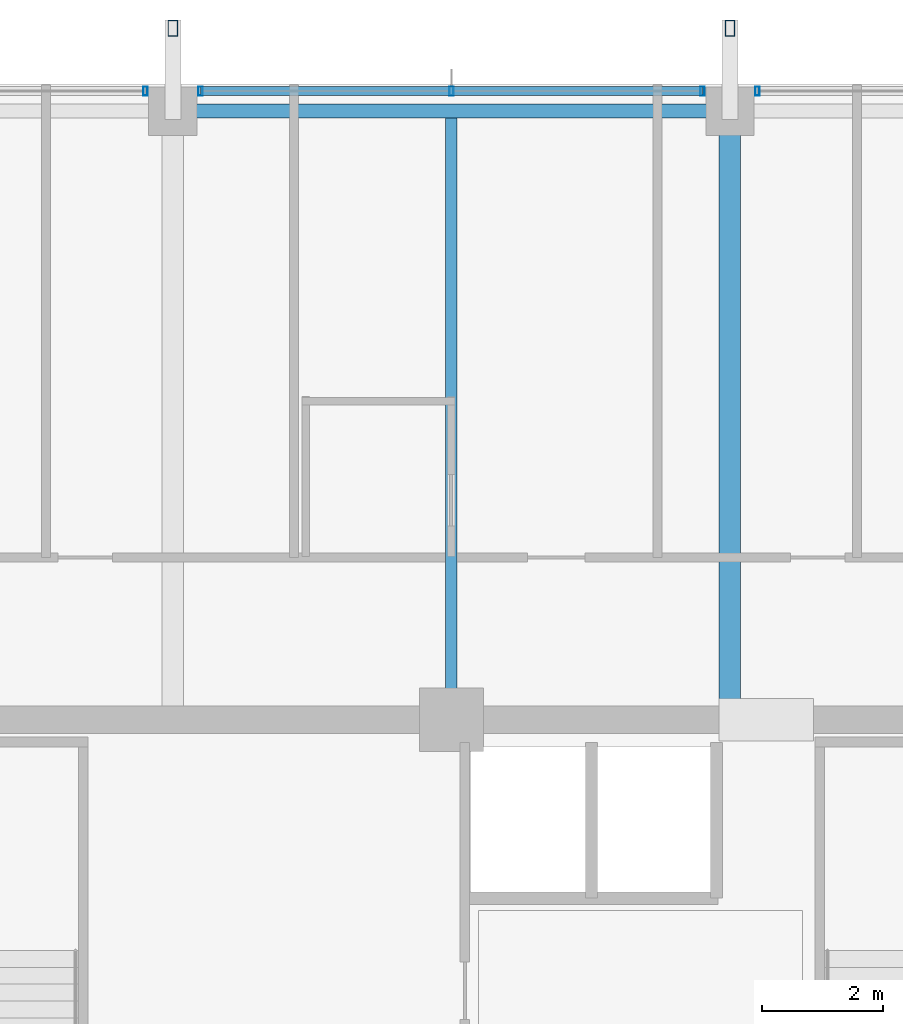
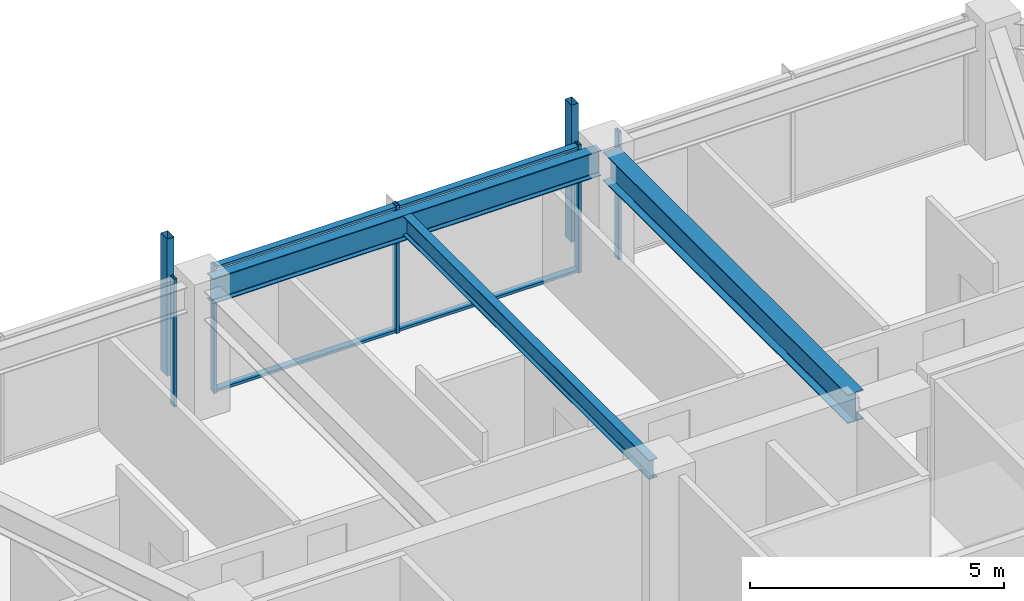
# One storey, part 19 of 35: 9 members, 3 beams, 3 elements without a shape of their own.
"""IFC4 building model written with IfcOpenShell, lengths in metres."""

from ifc_helpers import new_model, si_unit, direction, frame, origin, origin_2d, place, context, subcontext, project, spatial, hollow_rectangle, i_section, extrude, material, material_profile, profile_set, type_object, element, aggregate, save


model = new_model("IFC4")

# Units and contexts
model_context = context("Model", 3, precision=1e-05, world=origin(), true_north=direction((0.0, 1.0)))
body_context = subcontext(model_context, "Body", "Model", "MODEL_VIEW")
ifc_project = project(units=[si_unit("LENGTHUNIT", "METRE"), si_unit("AREAUNIT", "SQUARE_METRE"), si_unit("VOLUMEUNIT", "CUBIC_METRE"), si_unit("PLANEANGLEUNIT", "RADIAN"), si_unit("MASSUNIT", "GRAM", prefix="KILO")], contexts=[model_context])

# Site, building, storey
site_placement = place(None, origin())
site = spatial("IfcSite", under=ifc_project, at=site_placement, CompositionType="ELEMENT")
building_placement = place(site_placement, origin())
building = spatial("IfcBuilding", under=site, at=building_placement, Name="Kolvaren Belvedere", CompositionType="ELEMENT")
storey_placement = place(building_placement, frame((0.0, 0.0, 216.300048828125)))
storey = spatial("IfcBuildingStorey", under=building, at=storey_placement, Name="L63", CompositionType="ELEMENT", Elevation=216.300048828125)

# Beams
ifc_material_1 = material(Name="Structural steel ASTM A992 Grade 50", Category="steel")
ifc_material_profile_1 = material_profile(ifc_material_1, i_section(OverallWidth=0.35498046875, OverallDepth=0.696044921875, WebThickness=0.015380859375, FlangeThickness=0.02490234375, FilletRadius=0.02197265625, at=origin_2d()), Name="W27X146")
ifc_profile_set_1 = profile_set([ifc_material_profile_1], Name="Structural steel ASTM A992 Grade 50")
beam_type_1 = type_object("IfcBeamType", Name="BM-GIRD-W27X146", PredefinedType="BEAM", material=ifc_profile_set_1)
beam_1_placement = place(storey_placement, frame((4.60009765625, 10.125, 2.73193359375), z_axis=(0.0, 1.0, 0.0), x_axis=(-1.0, 0.0, 0.0)))
element("IfcBeam", 1, at=beam_1_placement, inside=storey, type_object=beam_type_1, Name="L63 North Radial Girder P", PredefinedType="BEAM", context=body_context, shape_type="SweptSolid", body=[
    extrude(i_section(OverallWidth=0.35498046875, OverallDepth=0.696044921875, WebThickness=0.015380859375, FlangeThickness=0.02490234375, FilletRadius=0.02197265625, at=origin_2d()), origin(), (0.0, 0.0, 1.0), 9.64501953125),
])
ifc_material_2 = material(Name="Structural steel ASTM A992 Grade 50", Category="steel")
ifc_material_profile_2 = material_profile(ifc_material_2, i_section(OverallWidth=0.19091796875, OverallDepth=0.4599609375, WebThickness=0.010009765625, FlangeThickness=0.01611328125, FilletRadius=0.014892578125, at=origin_2d()), Name="W18X55")
ifc_profile_set_2 = profile_set([ifc_material_profile_2], Name="Structural steel ASTM A992 Grade 50")
beam_type_2 = type_object("IfcBeamType", Name="BM-JOIST-W18X55", PredefinedType="BEAM", material=ifc_profile_set_2)
beam_2_placement = place(storey_placement, frame((0.0, 10.125, 2.849853515625), z_axis=(0.0, 1.0, 0.0), x_axis=(-1.0, 0.0, 0.0)))
element("IfcBeam", 2, at=beam_2_placement, inside=storey, type_object=beam_type_2, Name="L63 North Centre Floor Beam", PredefinedType="BEAM", context=body_context, shape_type="SweptSolid", body=[
    extrude(i_section(OverallWidth=0.19091796875, OverallDepth=0.4599609375, WebThickness=0.010009765625, FlangeThickness=0.01611328125, FilletRadius=0.014892578125, at=origin_2d()), origin(), (0.0, 0.0, 1.0), 9.71044921875),
])
ifc_material_3 = material(Name="Structural steel ASTM A992 Grade 50", Category="steel")
ifc_material_profile_3 = material_profile(ifc_material_3, i_section(OverallWidth=0.22900390625, OverallDepth=0.612060546875, WebThickness=0.011962890625, FlangeThickness=0.01953125, FilletRadius=0.01806640625, at=origin_2d()), Name="W24X84")
ifc_profile_set_3 = profile_set([ifc_material_profile_3], Name="Structural steel ASTM A992 Grade 50")
beam_type_3 = type_object("IfcBeamType", Name="BM-SPAN-W24X84", PredefinedType="SPANDREL", material=ifc_profile_set_3)
beam_3_placement = place(storey_placement, frame((4.419921875, 19.949951171875, 2.77392578125), z_axis=(-1.0, 0.0, 0.0), x_axis=(0.0, -1.0, 0.0)))
element("IfcBeam", 3, at=beam_3_placement, inside=storey, type_object=beam_type_3, Name="L63 Perimeter Spandrel N3-N2", PredefinedType="SPANDREL", context=body_context, shape_type="SweptSolid", body=[
    extrude(i_section(OverallWidth=0.22900390625, OverallDepth=0.612060546875, WebThickness=0.011962890625, FlangeThickness=0.01953125, FilletRadius=0.01806640625, at=origin_2d()), origin(), (0.0, 0.0, 1.0), 8.83984375),
])

# Curtain wall, member
ifc_material_4 = material(Name="Anodised pale-metal aluminium AA 6063-T6", Category="aluminium")
curtain_wall_type = type_object("IfcCurtainWallType", Name="CW-Z5-HIGH", PredefinedType="NOTDEFINED", material=ifc_material_4)
curtain_wall_1_placement = place(storey_placement, origin())
curtain_wall_1 = element("IfcCurtainWall", 4, at=curtain_wall_1_placement, inside=storey, type_object=curtain_wall_type, Name="L63 Unitised Curtain Wall FCW-L63-N-B1", PredefinedType="NOTDEFINED")
ifc_material_5 = material(Name="Anodised pale-metal aluminium AA 6063-T6", Category="aluminium")
ifc_material_profile_4 = material_profile(ifc_material_5, hollow_rectangle(XDim=0.070068359375, YDim=0.14990234375, WallThickness=0.004150390625, at=origin_2d()), Name="ALU-MUL-150X70")
ifc_profile_set_4 = profile_set([ifc_material_profile_4], Name="Anodised pale-metal aluminium AA 6063-T6")
member_type_1 = type_object("IfcMemberType", Name="CW-MUL-150", PredefinedType="MULLION", material=ifc_profile_set_4)
member_1_placement = place(storey_placement, frame((-5.054931640625, 20.280029296875, 0.0), z_axis=(0.0, 0.0, 1.0), x_axis=(1.0, 0.0, 0.0)))
member_1 = element("IfcMember", 5, at=member_1_placement, type_object=member_type_1, Name="FCW-L63-N-B1 Unitised Mullion 3", PredefinedType="MULLION", context=body_context, shape_type="SweptSolid", body=[
    extrude(hollow_rectangle(XDim=0.070068359375, YDim=0.14990234375, WallThickness=0.004150390625, at=origin_2d()), origin(), (0.0, 0.0, 1.0), 3.079833984375),
])
aggregate(curtain_wall_1, [member_1])

# Curtain wall, members
curtain_wall_2_placement = place(storey_placement, origin())
curtain_wall_2 = element("IfcCurtainWall", 6, at=curtain_wall_2_placement, inside=storey, type_object=curtain_wall_type, Name="L63 Unitised Curtain Wall FCW-L63-N-B2", PredefinedType="NOTDEFINED")
member_2_placement = place(storey_placement, frame((-4.14501953125, 20.280029296875, 0.0), z_axis=(0.0, 0.0, 1.0), x_axis=(1.0, 0.0, 0.0)))
member_2 = element("IfcMember", 7, at=member_2_placement, type_object=member_type_1, Name="FCW-L63-N-B2 Unitised Mullion 1", PredefinedType="MULLION", context=body_context, shape_type="SweptSolid", body=[
    extrude(hollow_rectangle(XDim=0.070068359375, YDim=0.14990234375, WallThickness=0.004150390625, at=origin_2d()), origin(), (0.0, 0.0, 1.0), 3.079833984375),
])
member_3_placement = place(storey_placement, frame((0.0, 20.280029296875, 0.0), z_axis=(0.0, 0.0, 1.0), x_axis=(1.0, 0.0, 0.0)))
member_3 = element("IfcMember", 8, at=member_3_placement, type_object=member_type_1, Name="FCW-L63-N-B2 Unitised Mullion 2", PredefinedType="MULLION", context=body_context, shape_type="SweptSolid", body=[
    extrude(hollow_rectangle(XDim=0.070068359375, YDim=0.14990234375, WallThickness=0.004150390625, at=origin_2d()), origin(), (0.0, 0.0, 1.0), 3.079833984375),
])
member_4_placement = place(storey_placement, frame((4.14501953125, 20.280029296875, 0.0), z_axis=(0.0, 0.0, 1.0), x_axis=(1.0, 0.0, 0.0)))
member_4 = element("IfcMember", 9, at=member_4_placement, type_object=member_type_1, Name="FCW-L63-N-B2 Unitised Mullion 3", PredefinedType="MULLION", context=body_context, shape_type="SweptSolid", body=[
    extrude(hollow_rectangle(XDim=0.070068359375, YDim=0.14990234375, WallThickness=0.004150390625, at=origin_2d()), origin(), (0.0, 0.0, 1.0), 3.079833984375),
])

# Curtain wall, member
curtain_wall_3_placement = place(storey_placement, origin())
curtain_wall_3 = element("IfcCurtainWall", 10, at=curtain_wall_3_placement, inside=storey, type_object=curtain_wall_type, Name="L63 Unitised Curtain Wall FCW-L63-N-B3", PredefinedType="NOTDEFINED")
member_5_placement = place(storey_placement, frame((5.054931640625, 20.280029296875, 0.0), z_axis=(0.0, 0.0, 1.0), x_axis=(1.0, 0.0, 0.0)))
member_5 = element("IfcMember", 11, at=member_5_placement, type_object=member_type_1, Name="FCW-L63-N-B3 Unitised Mullion 1", PredefinedType="MULLION", context=body_context, shape_type="SweptSolid", body=[
    extrude(hollow_rectangle(XDim=0.070068359375, YDim=0.14990234375, WallThickness=0.004150390625, at=origin_2d()), origin(), (0.0, 0.0, 1.0), 3.079833984375),
])
aggregate(curtain_wall_3, [member_5])

# Member
ifc_material_6 = material(Name="Anodised pale-metal aluminium AA 6063-T6", Category="aluminium")
ifc_material_profile_5 = material_profile(ifc_material_6, hollow_rectangle(XDim=0.06494140625, YDim=0.14990234375, WallThickness=0.00390625, at=origin_2d()), Name="ALU-TRN-150X65")
ifc_profile_set_5 = profile_set([ifc_material_profile_5], Name="Anodised pale-metal aluminium AA 6063-T6")
member_type_2 = type_object("IfcMemberType", Name="CW-TRN-150", PredefinedType="USERDEFINED", material=ifc_profile_set_5)
member_6_placement = place(storey_placement, frame((-4.14501953125, 20.280029296875, 0.06005859375), z_axis=(1.0, 0.0, 0.0), x_axis=(0.0, 0.0, 1.0)))
member_6 = element("IfcMember", 12, at=member_6_placement, type_object=member_type_2, Name="FCW-L63-N-B2 Sill Transom", ObjectType="TRANSOM", PredefinedType="USERDEFINED", context=body_context, shape_type="SweptSolid", body=[
    extrude(hollow_rectangle(XDim=0.06494140625, YDim=0.14990234375, WallThickness=0.00390625, at=origin_2d()), origin(), (0.0, 0.0, 1.0), 8.2900390625),
])

member_7_placement = place(storey_placement, frame((-4.14501953125, 20.280029296875, 3.02001953125), z_axis=(1.0, 0.0, 0.0), x_axis=(0.0, 0.0, 1.0)))
member_7 = element("IfcMember", 13, at=member_7_placement, type_object=member_type_2, Name="FCW-L63-N-B2 Head Transom", ObjectType="TRANSOM", PredefinedType="USERDEFINED", context=body_context, shape_type="SweptSolid", body=[
    extrude(hollow_rectangle(XDim=0.06494140625, YDim=0.14990234375, WallThickness=0.00390625, at=origin_2d()), origin(), (0.0, 0.0, 1.0), 8.2900390625),
])

aggregate(curtain_wall_2, [member_2, member_3, member_4, member_6, member_7])

# Members
ifc_material_7 = material(Name="Anodised pale-metal aluminium AA 6063-T6", Category="aluminium")
ifc_material_profile_6 = material_profile(ifc_material_7, hollow_rectangle(XDim=0.159912109375, YDim=0.260009765625, WallThickness=0.006591796875, at=origin_2d()), Name="ALU-PF-260X160")
ifc_profile_set_6 = profile_set([ifc_material_profile_6], Name="Anodised pale-metal aluminium AA 6063-T6")
member_type_3 = type_object("IfcMemberType", Name="PF-FRAME-260", PredefinedType="USERDEFINED", material=ifc_profile_set_6)
for number, where, z_axis, x_axis, name in (
    (14, (-4.60009765625, 21.320068359375, 0.0), (0.0, 0.0, 1.0), (1.0, 0.0, 0.0), "L63 Outboard Picture-Frame Vertical N1"),
    (15, (4.60009765625, 21.320068359375, 0.0), (0.0, 0.0, 1.0), (1.0, 0.0, 0.0), "L63 Outboard Picture-Frame Vertical N2"),
):
    element("IfcMember", number, at=place(storey_placement, frame(where, z_axis=z_axis, x_axis=x_axis)), inside=storey, type_object=member_type_3, Name=name, ObjectType="PICTURE FRAME FIN", PredefinedType="USERDEFINED", context=body_context, shape_type="SweptSolid", body=[
        extrude(hollow_rectangle(XDim=0.159912109375, YDim=0.260009765625, WallThickness=0.006591796875, at=origin_2d()), origin(), (0.0, 0.0, 1.0), 3.300048828125),
    ])

save(model, "model.ifc")
